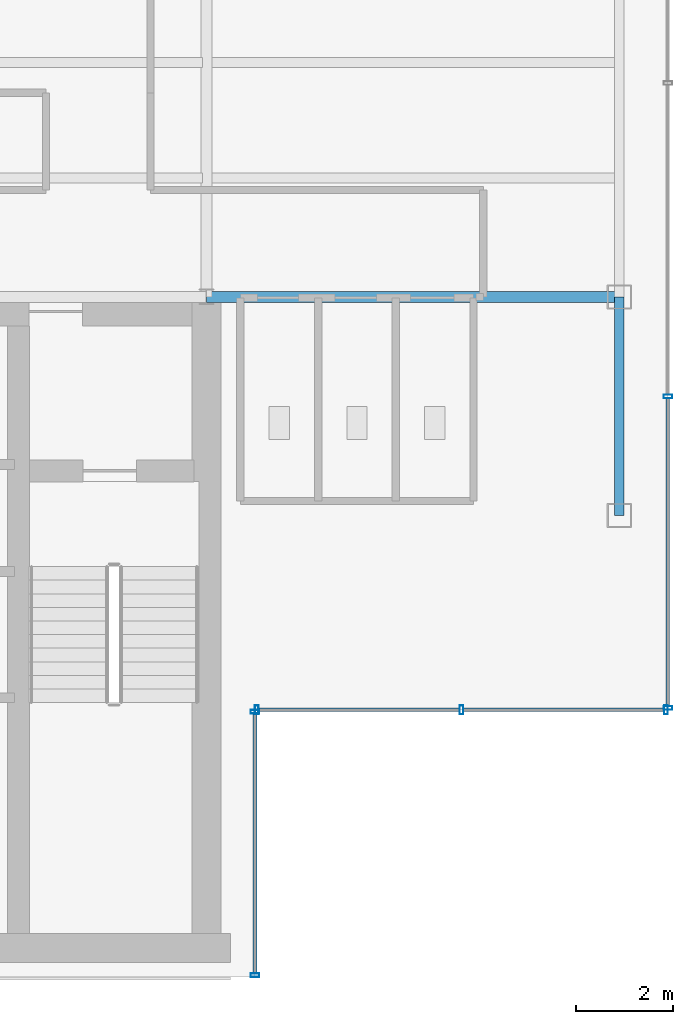
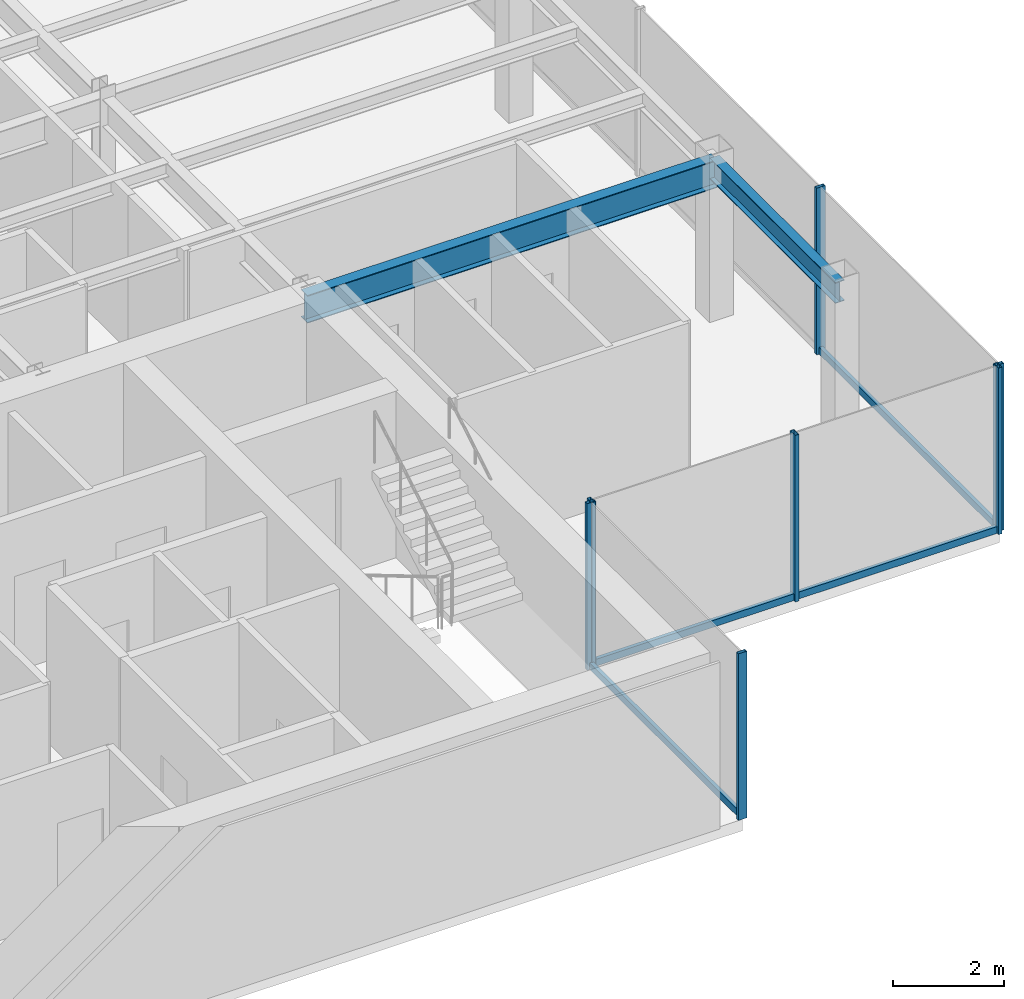
# One storey, part 9 of 22: 11 members, 2 beams, 3 elements without a shape of their own.
"""IFC4 building model written with IfcOpenShell, lengths in metres."""

import ifcopenshell
import ifcopenshell.guid

model = None  # the IFC model being written
_history = None  # IfcOwnerHistory: only IFC2X3 demands one
_inside = {}  # id of a spatial element -> (the spatial element, [elements in it])
_under = {}  # id of a project, library or spatial element -> (it, [spatial elements below it])
_declared = {}  # id of a project -> (the project, [libraries it declares])
_typed = {}  # id of a type object -> (the type object, [elements of that type])
_made_of = {}  # id of a material, layer set ... -> (it, [elements and type objects made of it])


def new_model(schema):
    """Start an empty IFC model of exactly this schema.

    Asked for "IFC4X3", IfcOpenShell would pick the latest addendum, in which some entities
    have other attributes; the version numbers below select the first issue.
    IFC2X3 requires an IfcOwnerHistory on every rooted entity: one is made here for all.
    """
    global model, _history
    if schema == "IFC4X3":
        model = ifcopenshell.file(schema_version=(4, 3, 0, 0))
    else:
        model = ifcopenshell.file(schema=schema)
    _inside.clear()
    _under.clear()
    _declared.clear()
    _typed.clear()
    _made_of.clear()
    _history = None
    if model.schema == "IFC2X3":
        org = make("IfcOrganization", Name="unknown")
        user = make(
            "IfcPersonAndOrganization",
            ThePerson=make("IfcPerson", FamilyName="unknown"),
            TheOrganization=org,
        )
        app = make(
            "IfcApplication",
            ApplicationDeveloper=org,
            Version="unknown",
            ApplicationFullName="unknown",
            ApplicationIdentifier="unknown",
        )
        _history = make(
            "IfcOwnerHistory",
            OwningUser=user,
            OwningApplication=app,
            ChangeAction="ADDED",
            CreationDate=0,
        )
    return model


def make(cls, **values):
    """One entity of the class cls with the attributes given. An attribute that is None is left unset."""
    return model.create_entity(
        cls, **{name: value for name, value in values.items() if value is not None}
    )


def rooted(cls, **values):
    """An entity with a GlobalId (a new one), such as an element, a storey or a relation."""
    return make(cls, GlobalId=ifcopenshell.guid.new(), OwnerHistory=_history, **values)


def si_unit(unit_type, name, prefix=None):
    """IfcSIUnit, for example si_unit("LENGTHUNIT", "METRE", prefix="MILLI")."""
    return make("IfcSIUnit", UnitType=unit_type, Prefix=prefix, Name=name)


def derived_unit(unit_type, elements):
    """IfcDerivedUnit: a product of units, each with its exponent."""
    return make(
        "IfcDerivedUnit",
        Elements=[
            make("IfcDerivedUnitElement", Unit=unit, Exponent=power)
            for unit, power in elements
        ],
        UnitType=unit_type,
    )


def assignment(units):
    """IfcUnitAssignment: the units of a project."""
    return None if units is None else make("IfcUnitAssignment", Units=units)


def point(xyz):
    """IfcCartesianPoint."""
    return None if xyz is None else make("IfcCartesianPoint", Coordinates=xyz)


def direction(xyz):
    """IfcDirection."""
    return None if xyz is None else make("IfcDirection", DirectionRatios=xyz)


def frame(location, z_axis=None, x_axis=None):
    """IfcAxis2Placement3D, a coordinate frame: its origin and axes. An axis left out is left unset."""
    return make(
        "IfcAxis2Placement3D",
        Location=point(location),
        Axis=direction(z_axis),
        RefDirection=direction(x_axis),
    )


def frame_2d(location, x_axis=None):
    """IfcAxis2Placement2D, a coordinate frame in the plane: its origin and x axis."""
    return make(
        "IfcAxis2Placement2D", Location=point(location), RefDirection=direction(x_axis)
    )


def origin():
    """The frame at (0, 0, 0) with its axes left unset."""
    return frame((0.0, 0.0, 0.0))


def origin_2d():
    """The frame at (0, 0) in the plane with its x axis left unset."""
    return frame_2d((0.0, 0.0))


def place(relative_to, where):
    """IfcLocalPlacement: puts the frame where relative to a parent placement (None: the world)."""
    return make(
        "IfcLocalPlacement", PlacementRelTo=relative_to, RelativePlacement=where
    )


def context(
    kind, dimensions, precision=None, world=None, true_north=None, identifier=None
):
    """IfcGeometricRepresentationContext, for example the 3D "Model" context."""
    return make(
        "IfcGeometricRepresentationContext",
        ContextIdentifier=identifier,
        ContextType=kind,
        CoordinateSpaceDimension=dimensions,
        Precision=precision,
        WorldCoordinateSystem=world,
        TrueNorth=true_north,
    )


def subcontext(parent, identifier, kind, view, scale=None):
    """IfcGeometricRepresentationSubContext, for example "Body" below "Model"."""
    return make(
        "IfcGeometricRepresentationSubContext",
        ContextIdentifier=identifier,
        ContextType=kind,
        ParentContext=parent,
        TargetScale=scale,
        TargetView=view,
    )


def project(units=None, contexts=None):
    """IfcProject with its units and contexts."""
    return rooted(
        "IfcProject",
        Name="project",
        RepresentationContexts=contexts,
        UnitsInContext=assignment(units),
    )


def spatial(cls, under=None, at=None, **own):
    """A site, building, storey or space (cls), placed at a placement, below another one or the project."""
    s = rooted(cls, ObjectPlacement=at, **own)
    if under is not None:
        _under.setdefault(under.id(), (under, []))[1].append(s)
    return s


def profile(cls, at=None, kind="AREA", **sizes):
    """A parametric profile (cls). Its sizes go by their IFC names, for example OverallWidth=200.0."""
    return make(cls, ProfileType=kind, Position=at, **sizes)


def hollow_rectangle(**sizes):
    """IfcRectangleHollowProfileDef."""
    return profile("IfcRectangleHollowProfileDef", **sizes)


def i_section(**sizes):
    """IfcIShapeProfileDef."""
    return profile("IfcIShapeProfileDef", **sizes)


def extrude(swept, where, along, depth):
    """IfcExtrudedAreaSolid: the profile swept, set in the frame where, extruded along a direction by depth."""
    return make(
        "IfcExtrudedAreaSolid",
        SweptArea=swept,
        Position=where,
        ExtrudedDirection=direction(along),
        Depth=depth,
    )


def shape(context_of_items, identifier, shape_type, items):
    """IfcShapeRepresentation: the items that make up one representation, for example the "Body"."""
    return make(
        "IfcShapeRepresentation",
        ContextOfItems=context_of_items,
        RepresentationIdentifier=identifier,
        RepresentationType=shape_type,
        Items=items,
    )


def source(mapping_origin, context_of_items, identifier, shape_type, items):
    """IfcRepresentationMap: a shape defined once, which mapped items show again and again."""
    return make(
        "IfcRepresentationMap",
        MappingOrigin=mapping_origin,
        MappedRepresentation=shape(context_of_items, identifier, shape_type, items),
    )


def transform(
    local_origin,
    x_axis=None,
    y_axis=None,
    z_axis=None,
    scale=None,
    scale2=None,
    scale3=None,
    uniform=True,
):
    """IfcCartesianTransformationOperator3D, or its non-uniform kind. x_axis, y_axis, z_axis: its Axis1, 2, 3."""
    if uniform:
        return make(
            "IfcCartesianTransformationOperator3D",
            Axis1=direction(x_axis),
            Axis2=direction(y_axis),
            LocalOrigin=point(local_origin),
            Scale=scale,
            Axis3=direction(z_axis),
        )
    return make(
        "IfcCartesianTransformationOperator3DnonUniform",
        Axis1=direction(x_axis),
        Axis2=direction(y_axis),
        LocalOrigin=point(local_origin),
        Scale=scale,
        Axis3=direction(z_axis),
        Scale2=scale2,
        Scale3=scale3,
    )


def mapped(mapping_source, mapping_target):
    """IfcMappedItem: shows the shape of a source again, moved by a transform."""
    return make(
        "IfcMappedItem", MappingSource=mapping_source, MappingTarget=mapping_target
    )


def material(Name=None, Category=None):
    """IfcMaterial."""
    return make("IfcMaterial", Name=Name, Category=Category)


def material_profile(
    of_material, cross_section, Name=None, Category=None, Priority=None
):
    """IfcMaterialProfile: a cross section and its material."""
    return make(
        "IfcMaterialProfile",
        Name=Name,
        Material=of_material,
        Profile=cross_section,
        Priority=Priority,
        Category=Category,
    )


def profile_set(profiles, Name=None, composite=None):
    """IfcMaterialProfileSet."""
    return make(
        "IfcMaterialProfileSet",
        Name=Name,
        MaterialProfiles=profiles,
        CompositeProfile=composite,
    )


def made_of(thing, what):
    """Note that an element or type object is made of a material, layer set ...; save() writes the relation."""
    if what is not None:
        _made_of.setdefault(what.id(), (what, []))[1].append(thing)
    return thing


def type_object(cls, material=None, **own):
    """A type object (cls), such as IfcWallType, which elements share."""
    return made_of(rooted(cls, **own), material)


def element(
    cls,
    number,
    at=None,
    inside=None,
    cuts=None,
    type_object=None,
    material=None,
    context=None,
    identifier="Body",
    shape_type=None,
    held_by="IfcProductDefinitionShape",
    body=None,
    shapes=None,
    **own,
):
    """One element of the class cls, such as IfcWall. Its Tag is "e" and its number.

    at: its placement. inside: the storey or other place that contains it. cuts: it is an
    opening in that element (IfcRelVoidsElement). A single representation is given by context,
    identifier, shape_type and body (its items); several are given by shapes. held_by: the class
    of the entity that holds the representations. save() writes the other relations.
    """
    e = rooted(cls, Tag="e%d" % number, ObjectPlacement=at, **own)
    if body is not None:
        shapes = [shape(context, identifier, shape_type, body)]
    if shapes is not None:
        e.Representation = make(held_by, Representations=shapes)
    if inside is not None:
        _inside.setdefault(inside.id(), (inside, []))[1].append(e)
    if cuts is not None:
        rooted(
            "IfcRelVoidsElement", RelatingBuildingElement=cuts, RelatedOpeningElement=e
        )
    if type_object is not None:
        _typed.setdefault(type_object.id(), (type_object, []))[1].append(e)
    return made_of(e, material)


def aggregate(whole, parts):
    """IfcRelAggregates: a whole, such as a stair, and the parts it consists of."""
    return rooted("IfcRelAggregates", RelatingObject=whole, RelatedObjects=parts)


def save(model, path):
    """Write the relations noted so far, then the file.

    IfcRelAggregates (storeys below a building ...), IfcRelContainedInSpatialStructure (elements
    in a storey), IfcRelDefinesByType, IfcRelAssociatesMaterial and IfcRelDeclares: one each for
    every whole, place, type object, material and project.
    """
    for whole, parts in _under.values():
        aggregate(whole, parts)
    for where, things in _inside.values():
        rooted(
            "IfcRelContainedInSpatialStructure",
            RelatedElements=things,
            RelatingStructure=where,
        )
    for kind, things in _typed.values():
        rooted("IfcRelDefinesByType", RelatedObjects=things, RelatingType=kind)
    for what, things in _made_of.values():
        rooted("IfcRelAssociatesMaterial", RelatedObjects=things, RelatingMaterial=what)
    for by, libraries in _declared.values():
        rooted("IfcRelDeclares", RelatingContext=by, RelatedDefinitions=libraries)
    model.write(path)


model = new_model("IFC4")

# Units and contexts
model_context = context("Model", 3, precision=1e-05, world=origin(), true_north=direction((0.0, 1.0)))
body_context = subcontext(model_context, "Body", "Model", "MODEL_VIEW")
ifc_project = project(units=[si_unit("LENGTHUNIT", "METRE"), si_unit("AREAUNIT", "SQUARE_METRE"), si_unit("VOLUMEUNIT", "CUBIC_METRE"), si_unit("PLANEANGLEUNIT", "RADIAN"), si_unit("MASSUNIT", "GRAM", prefix="KILO"), derived_unit("THERMALTRANSMITTANCEUNIT", [(si_unit("POWERUNIT", "WATT"), 1), (si_unit("LENGTHUNIT", "METRE"), -2), (si_unit("THERMODYNAMICTEMPERATUREUNIT", "KELVIN"), -1)])], contexts=[model_context])

# Site, building, storey
site_placement = place(None, origin())
site = spatial("IfcSite", under=ifc_project, at=site_placement, CompositionType="ELEMENT")
building_placement = place(site_placement, origin())
building = spatial("IfcBuilding", under=site, at=building_placement, Name="Skarnbrae Concourse Arena and Tower", CompositionType="ELEMENT")
storey_placement = place(building_placement, frame((0.0, 0.0, 240.550048828125)))
storey = spatial("IfcBuildingStorey", under=building, at=storey_placement, Name="L62", CompositionType="ELEMENT", Elevation=240.550048828125)

# Beams
ifc_material_1 = material(Name="Steel CSA G40.21 350W", Category="steel")
ifc_material_profile_1 = material_profile(ifc_material_1, i_section(OverallWidth=0.22802734375, OverallDepth=0.60791015625, WebThickness=0.01123046875, FlangeThickness=0.017333984375, at=origin_2d()), Name="W610X113")
ifc_profile_set_1 = profile_set([ifc_material_profile_1], Name="Steel CSA G40.21 350W")
beam_type_1 = type_object("IfcBeamType", Name="BM-GIRD-W610X113", PredefinedType="BEAM", material=ifc_profile_set_1)
shared_shape_1 = source(origin(), body_context, "Body", "SweptSolid", [
    extrude(i_section(OverallWidth=0.22802734375, OverallDepth=0.60791015625, WebThickness=0.01123046875, FlangeThickness=0.017333984375, at=origin_2d()), origin(), (0.0, 0.0, 1.0), 8.5),
])
beam_1_placement = place(storey_placement, frame((33.5, 14.0, 3.095947265625), z_axis=(1.0, 0.0, 0.0), x_axis=(0.0, 1.0, 0.0)))
element("IfcBeam", 1, at=beam_1_placement, inside=storey, type_object=beam_type_1, Name="L62 Primary E-W girder Y14.0-6", PredefinedType="BEAM", context=body_context, shape_type="MappedRepresentation", body=[
    mapped(shared_shape_1, transform((0.0, 0.0, 0.0))),
])
ifc_material_profile_2 = material_profile(ifc_material_1, i_section(OverallWidth=0.19091796875, OverallDepth=0.4599609375, WebThickness=0.010009765625, FlangeThickness=0.01611328125, at=origin_2d()), Name="W460X82")
ifc_profile_set_2 = profile_set([ifc_material_profile_2], Name="Steel CSA G40.21 350W")
beam_type_2 = type_object("IfcBeamType", Name="BM-SPAN-W460X82", PredefinedType="SPANDREL", material=ifc_profile_set_2)
shared_shape_2 = source(origin(), body_context, "Body", "SweptSolid", [
    extrude(i_section(OverallWidth=0.19091796875, OverallDepth=0.4599609375, WebThickness=0.010009765625, FlangeThickness=0.01611328125, at=origin_2d()), origin(), (0.0, 0.0, 1.0), 4.5),
])
beam_2_placement = place(storey_placement, frame((42.0, 9.5, 3.169921875), z_axis=(0.0, 1.0, 0.0), x_axis=(-1.0, 0.0, 0.0)))
element("IfcBeam", 2, at=beam_2_placement, inside=storey, type_object=beam_type_2, Name="L62 Perimeter spandrel X42.0-1", PredefinedType="SPANDREL", context=body_context, shape_type="MappedRepresentation", body=[
    mapped(shared_shape_2, transform((0.0, 0.0, 0.0))),
])

# Curtain wall, members
ifc_material_2 = material(Name="Bronze anodised aluminium 6063-T6", Category="aluminium")
curtain_wall_type = type_object("IfcCurtainWallType", Name="CW-SYS-05-HIGHZONE", PredefinedType="USERDEFINED", material=ifc_material_2)
curtain_wall_1_placement = place(storey_placement, origin())
curtain_wall_1 = element("IfcCurtainWall", 3, at=curtain_wall_1_placement, inside=storey, type_object=curtain_wall_type, Name="L62 Unitised curtain wall CW-L62-E02", ObjectType="UNITISED CURTAIN WALL", PredefinedType="USERDEFINED")
ifc_material_profile_3 = material_profile(ifc_material_2, hollow_rectangle(XDim=0.074951171875, YDim=0.179931640625, WallThickness=0.00390625, at=origin_2d()), Name="ALU-MULL-75X180")
ifc_profile_set_3 = profile_set([ifc_material_profile_3], Name="Bronze anodised aluminium 6063-T6")
member_type_1 = type_object("IfcMemberType", Name="CWM-CW-05", PredefinedType="MULLION", material=ifc_profile_set_3)
shared_shape_3 = source(origin(), body_context, "Body", "SweptSolid", [
    extrude(hollow_rectangle(XDim=0.074951171875, YDim=0.179931640625, WallThickness=0.00390625, at=origin_2d()), origin(), (0.0, 0.0, 1.0), 3.64990234375),
])
member_1_placement = place(storey_placement, frame((34.5, 0.03759765625, 0.0), z_axis=(0.0, 0.0, 1.0), x_axis=(0.0, 1.0, 0.0)))
member_1 = element("IfcMember", 4, at=member_1_placement, type_object=member_type_1, Name="CW-L62-E02 Mullion 1", PredefinedType="MULLION", context=body_context, shape_type="MappedRepresentation", body=[
    mapped(shared_shape_3, transform((0.0, 0.0, 0.0))),
])
member_2_placement = place(storey_placement, frame((34.5, 5.46240234375, 0.0), z_axis=(0.0, 0.0, 1.0), x_axis=(0.0, 1.0, 0.0)))
member_2 = element("IfcMember", 5, at=member_2_placement, type_object=member_type_1, Name="CW-L62-E02 Mullion 2", PredefinedType="MULLION", context=body_context, shape_type="MappedRepresentation", body=[
    mapped(shared_shape_3, transform((0.0, 0.0, 0.0))),
])

curtain_wall_2_placement = place(storey_placement, origin())
curtain_wall_2 = element("IfcCurtainWall", 6, at=curtain_wall_2_placement, inside=storey, type_object=curtain_wall_type, Name="L62 Unitised curtain wall CW-L62-E03", ObjectType="UNITISED CURTAIN WALL", PredefinedType="USERDEFINED")
member_3_placement = place(storey_placement, frame((34.53759765625, 5.5, 0.0), z_axis=(0.0, 0.0, 1.0), x_axis=(1.0, 0.0, 0.0)))
member_3 = element("IfcMember", 7, at=member_3_placement, type_object=member_type_1, Name="CW-L62-E03 Mullion 1", PredefinedType="MULLION", context=body_context, shape_type="MappedRepresentation", body=[
    mapped(shared_shape_3, transform((0.0, 0.0, 0.0))),
])
member_4_placement = place(storey_placement, frame((38.75, 5.5, 0.0), z_axis=(0.0, 0.0, 1.0), x_axis=(1.0, 0.0, 0.0)))
member_4 = element("IfcMember", 8, at=member_4_placement, type_object=member_type_1, Name="CW-L62-E03 Mullion 2", PredefinedType="MULLION", context=body_context, shape_type="MappedRepresentation", body=[
    mapped(shared_shape_3, transform((0.0, 0.0, 0.0))),
])
member_5_placement = place(storey_placement, frame((42.96240234375, 5.5, 0.0), z_axis=(0.0, 0.0, 1.0), x_axis=(1.0, 0.0, 0.0)))
member_5 = element("IfcMember", 9, at=member_5_placement, type_object=member_type_1, Name="CW-L62-E03 Mullion 3", PredefinedType="MULLION", context=body_context, shape_type="MappedRepresentation", body=[
    mapped(shared_shape_3, transform((0.0, 0.0, 0.0))),
])

curtain_wall_3_placement = place(storey_placement, origin())
curtain_wall_3 = element("IfcCurtainWall", 10, at=curtain_wall_3_placement, inside=storey, type_object=curtain_wall_type, Name="L62 Unitised curtain wall CW-L62-E04", ObjectType="UNITISED CURTAIN WALL", PredefinedType="USERDEFINED")
member_6_placement = place(storey_placement, frame((43.0, 5.53759765625, 0.0), z_axis=(0.0, 0.0, 1.0), x_axis=(0.0, 1.0, 0.0)))
member_6 = element("IfcMember", 11, at=member_6_placement, type_object=member_type_1, Name="CW-L62-E04 Mullion 1", PredefinedType="MULLION", context=body_context, shape_type="MappedRepresentation", body=[
    mapped(shared_shape_3, transform((0.0, 0.0, 0.0))),
])
member_7_placement = place(storey_placement, frame((43.0, 11.949951171875, 0.0), z_axis=(0.0, 0.0, 1.0), x_axis=(0.0, 1.0, 0.0)))
member_7 = element("IfcMember", 12, at=member_7_placement, type_object=member_type_1, Name="CW-L62-E04 Mullion 2", PredefinedType="MULLION", context=body_context, shape_type="MappedRepresentation", body=[
    mapped(shared_shape_3, transform((0.0, 0.0, 0.0))),
])

# Member
ifc_material_profile_4 = material_profile(ifc_material_2, hollow_rectangle(XDim=0.074951171875, YDim=0.14990234375, WallThickness=0.00390625, at=origin_2d()), Name="ALU-TRAN-75X150")
ifc_profile_set_4 = profile_set([ifc_material_profile_4], Name="Bronze anodised aluminium 6063-T6")
member_type_2 = type_object("IfcMemberType", Name="CWT-CW-05", PredefinedType="USERDEFINED", material=ifc_profile_set_4)
shared_shape_4 = source(origin(), body_context, "Body", "SweptSolid", [
    extrude(hollow_rectangle(XDim=0.074951171875, YDim=0.14990234375, WallThickness=0.00390625, at=origin_2d()), origin(), (0.0, 0.0, 1.0), 5.35009765625),
])
member_8_placement = place(storey_placement, frame((34.5, 0.074951171875, 0.074951171875), z_axis=(0.0, 1.0, 0.0), x_axis=(-1.0, 0.0, 0.0)))
member_8 = element("IfcMember", 13, at=member_8_placement, type_object=member_type_2, Name="CW-L62-E02 Transom 1", ObjectType="TRANSOM", PredefinedType="USERDEFINED", context=body_context, shape_type="MappedRepresentation", body=[
    mapped(shared_shape_4, transform((0.0, 0.0, 0.0))),
])

aggregate(curtain_wall_1, [member_1, member_2, member_8])

shared_shape_5 = source(origin(), body_context, "Body", "SweptSolid", [
    extrude(hollow_rectangle(XDim=0.074951171875, YDim=0.14990234375, WallThickness=0.00390625, at=origin_2d()), origin(), (0.0, 0.0, 1.0), 4.137451171875),
])
member_9_placement = place(storey_placement, frame((34.574951171875, 5.5, 0.074951171875), z_axis=(1.0, 0.0, 0.0), x_axis=(0.0, 1.0, 0.0)))
member_9 = element("IfcMember", 14, at=member_9_placement, type_object=member_type_2, Name="CW-L62-E03 Transom 1", ObjectType="TRANSOM", PredefinedType="USERDEFINED", context=body_context, shape_type="MappedRepresentation", body=[
    mapped(shared_shape_5, transform((0.0, 0.0, 0.0))),
])

member_10_placement = place(storey_placement, frame((38.78759765625, 5.5, 0.074951171875), z_axis=(1.0, 0.0, 0.0), x_axis=(0.0, 1.0, 0.0)))
member_10 = element("IfcMember", 15, at=member_10_placement, type_object=member_type_2, Name="CW-L62-E03 Transom 2", ObjectType="TRANSOM", PredefinedType="USERDEFINED", context=body_context, shape_type="MappedRepresentation", body=[
    mapped(shared_shape_5, transform((0.0, 0.0, 0.0))),
])

aggregate(curtain_wall_2, [member_3, member_4, member_5, member_9, member_10])

shared_shape_6 = source(origin(), body_context, "Body", "SweptSolid", [
    extrude(hollow_rectangle(XDim=0.074951171875, YDim=0.14990234375, WallThickness=0.00390625, at=origin_2d()), origin(), (0.0, 0.0, 1.0), 6.337646484375),
])
member_11_placement = place(storey_placement, frame((43.0, 5.574951171875, 0.074951171875), z_axis=(0.0, 1.0, 0.0), x_axis=(-1.0, 0.0, 0.0)))
member_11 = element("IfcMember", 16, at=member_11_placement, type_object=member_type_2, Name="CW-L62-E04 Transom 1", ObjectType="TRANSOM", PredefinedType="USERDEFINED", context=body_context, shape_type="MappedRepresentation", body=[
    mapped(shared_shape_6, transform((0.0, 0.0, 0.0))),
])

aggregate(curtain_wall_3, [member_6, member_7, member_11])

save(model, "model.ifc")
